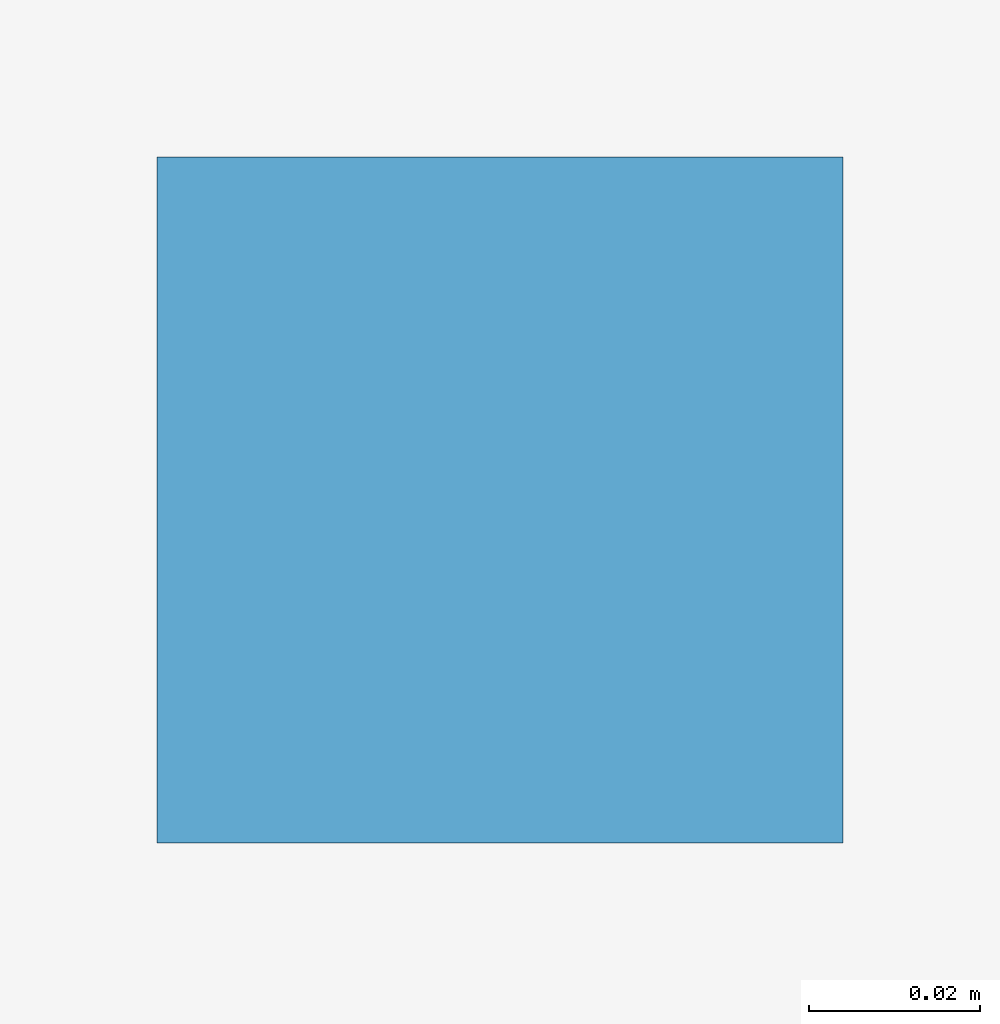
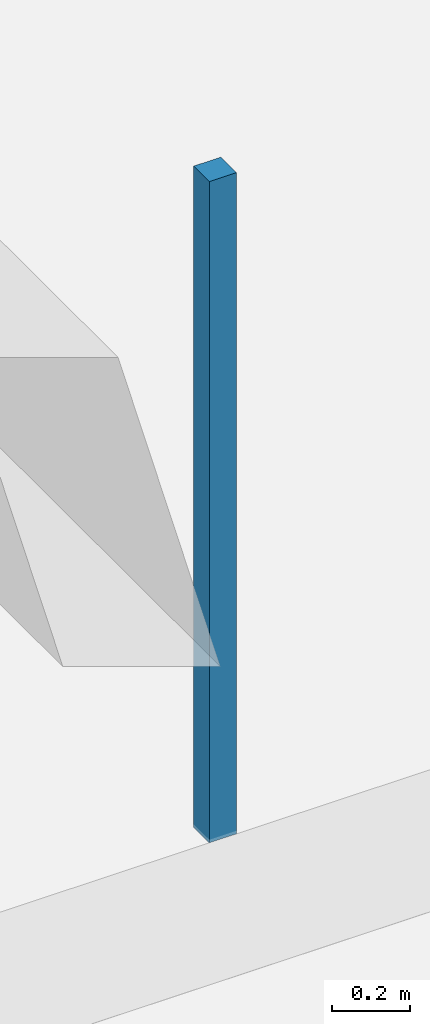
# One storey, part 75 of 93: 1 discrete accessory.
"""IFC4 building model written with IfcOpenShell, lengths in metres."""

from ifc_helpers import new_model, si_unit, direction, frame, origin, origin_2d, place, context, subcontext, project, spatial, rectangle, extrude, material, type_object, element, save


model = new_model("IFC4")

# Units and contexts
model_context = context("Model", 3, precision=1e-05, world=origin(), true_north=direction((0.0, 1.0)))
body_context = subcontext(model_context, "Body", "Model", "MODEL_VIEW")
ifc_project = project(units=[si_unit("LENGTHUNIT", "METRE"), si_unit("AREAUNIT", "SQUARE_METRE"), si_unit("VOLUMEUNIT", "CUBIC_METRE"), si_unit("PLANEANGLEUNIT", "RADIAN"), si_unit("MASSUNIT", "GRAM", prefix="KILO")], contexts=[model_context])

# Site, building, storey
site_placement = place(None, origin())
site = spatial("IfcSite", under=ifc_project, at=site_placement, CompositionType="ELEMENT")
building_placement = place(site_placement, origin())
building = spatial("IfcBuilding", under=site, at=building_placement, Name="Koriwan Promenade Central Fire Station", CompositionType="ELEMENT")
storey_placement = place(building_placement, origin())
storey = spatial("IfcBuildingStorey", under=building, at=storey_placement, Name="L00", CompositionType="ELEMENT", Elevation=0.0)

# Discrete accessory
ifc_material = material(Name="Steel ASTM A572 Grade 50", Category="steel")
discrete_accessory_type = type_object("IfcDiscreteAccessoryType", Name="CeilingHanger_Bracket", PredefinedType="BRACKET", material=ifc_material)
discrete_accessory_placement = place(storey_placement, frame((22.39990234375, 3.6875, 3.0947265625), z_axis=(0.0, 0.0, 1.0), x_axis=(1.0, 0.0, 0.0)))
element("IfcDiscreteAccessory", 1, at=discrete_accessory_placement, inside=storey, type_object=discrete_accessory_type, Name="Youth Fire Preparedness Classroom acoustic ceiling seismic hanger", PredefinedType="BRACKET", context=body_context, shape_type="SweptSolid", body=[
    extrude(rectangle(XDim=0.080078125, YDim=0.080078125, at=origin_2d()), origin(), (0.0, 0.0, 1.0), 2.070068359375),
])

save(model, "model.ifc")
